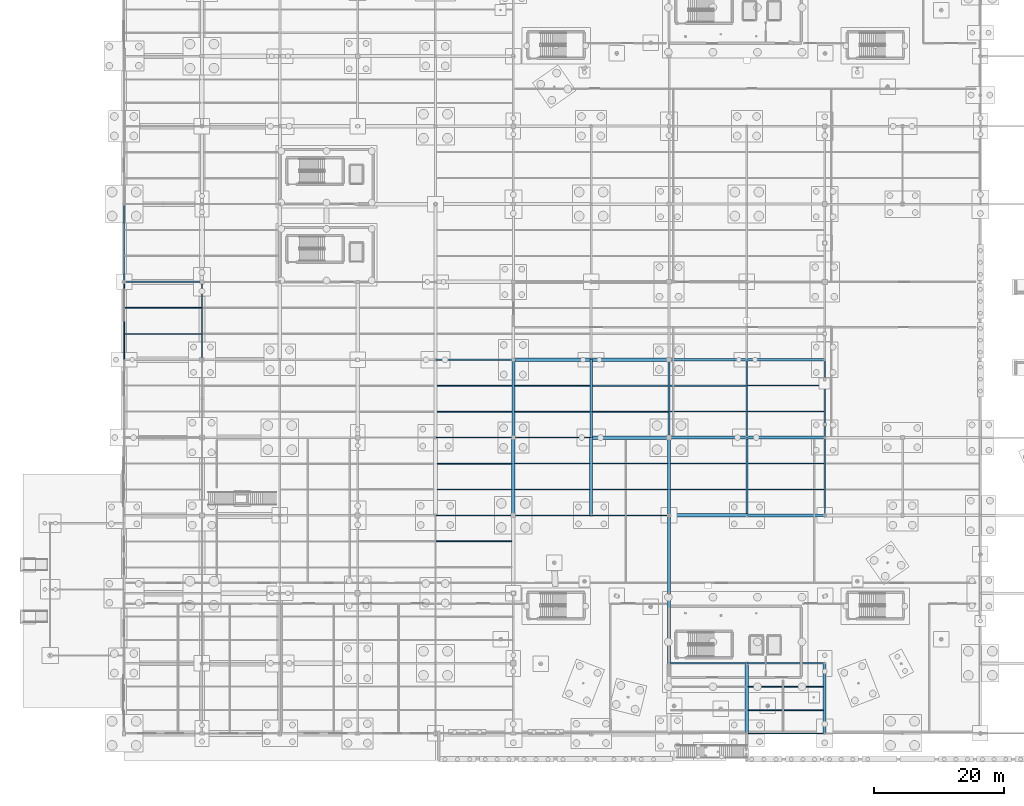
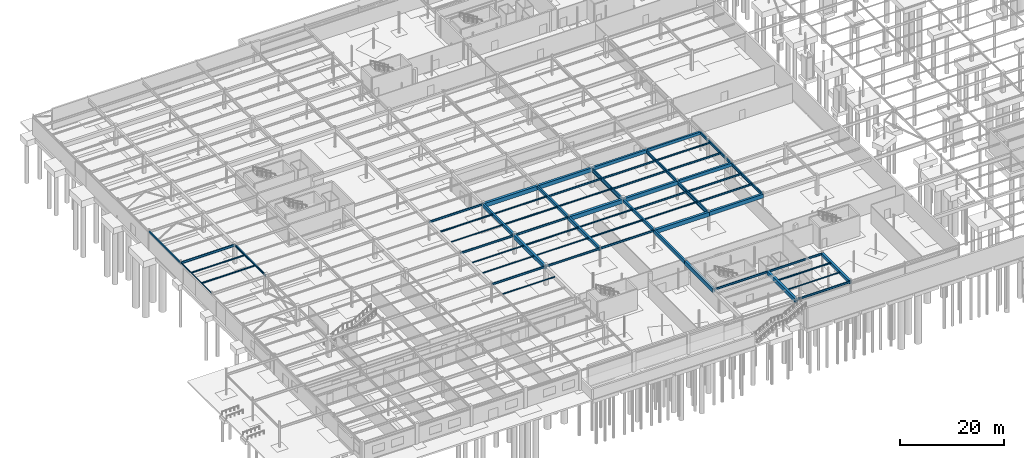
# One storey, part 80 of 136: 61 beams.
"""IFC4 building model written with IfcOpenShell, lengths in metres."""

import ifcopenshell
import ifcopenshell.guid

model = None  # the IFC model being written
_history = None  # IfcOwnerHistory: only IFC2X3 demands one
_inside = {}  # id of a spatial element -> (the spatial element, [elements in it])
_under = {}  # id of a project, library or spatial element -> (it, [spatial elements below it])
_declared = {}  # id of a project -> (the project, [libraries it declares])
_typed = {}  # id of a type object -> (the type object, [elements of that type])
_made_of = {}  # id of a material, layer set ... -> (it, [elements and type objects made of it])


def new_model(schema):
    """Start an empty IFC model of exactly this schema.

    Asked for "IFC4X3", IfcOpenShell would pick the latest addendum, in which some entities
    have other attributes; the version numbers below select the first issue.
    IFC2X3 requires an IfcOwnerHistory on every rooted entity: one is made here for all.
    """
    global model, _history
    if schema == "IFC4X3":
        model = ifcopenshell.file(schema_version=(4, 3, 0, 0))
    else:
        model = ifcopenshell.file(schema=schema)
    _inside.clear()
    _under.clear()
    _declared.clear()
    _typed.clear()
    _made_of.clear()
    _history = None
    if model.schema == "IFC2X3":
        org = make("IfcOrganization", Name="unknown")
        user = make(
            "IfcPersonAndOrganization",
            ThePerson=make("IfcPerson", FamilyName="unknown"),
            TheOrganization=org,
        )
        app = make(
            "IfcApplication",
            ApplicationDeveloper=org,
            Version="unknown",
            ApplicationFullName="unknown",
            ApplicationIdentifier="unknown",
        )
        _history = make(
            "IfcOwnerHistory",
            OwningUser=user,
            OwningApplication=app,
            ChangeAction="ADDED",
            CreationDate=0,
        )
    return model


def make(cls, **values):
    """One entity of the class cls with the attributes given. An attribute that is None is left unset."""
    return model.create_entity(
        cls, **{name: value for name, value in values.items() if value is not None}
    )


def rooted(cls, **values):
    """An entity with a GlobalId (a new one), such as an element, a storey or a relation."""
    return make(cls, GlobalId=ifcopenshell.guid.new(), OwnerHistory=_history, **values)


def si_unit(unit_type, name, prefix=None):
    """IfcSIUnit, for example si_unit("LENGTHUNIT", "METRE", prefix="MILLI")."""
    return make("IfcSIUnit", UnitType=unit_type, Prefix=prefix, Name=name)


def assignment(units):
    """IfcUnitAssignment: the units of a project."""
    return None if units is None else make("IfcUnitAssignment", Units=units)


def point(xyz):
    """IfcCartesianPoint."""
    return None if xyz is None else make("IfcCartesianPoint", Coordinates=xyz)


def direction(xyz):
    """IfcDirection."""
    return None if xyz is None else make("IfcDirection", DirectionRatios=xyz)


def frame(location, z_axis=None, x_axis=None):
    """IfcAxis2Placement3D, a coordinate frame: its origin and axes. An axis left out is left unset."""
    return make(
        "IfcAxis2Placement3D",
        Location=point(location),
        Axis=direction(z_axis),
        RefDirection=direction(x_axis),
    )


def frame_2d(location, x_axis=None):
    """IfcAxis2Placement2D, a coordinate frame in the plane: its origin and x axis."""
    return make(
        "IfcAxis2Placement2D", Location=point(location), RefDirection=direction(x_axis)
    )


def origin():
    """The frame at (0, 0, 0) with its axes left unset."""
    return frame((0.0, 0.0, 0.0))


def origin_2d():
    """The frame at (0, 0) in the plane with its x axis left unset."""
    return frame_2d((0.0, 0.0))


def place(relative_to, where):
    """IfcLocalPlacement: puts the frame where relative to a parent placement (None: the world)."""
    return make(
        "IfcLocalPlacement", PlacementRelTo=relative_to, RelativePlacement=where
    )


def context(
    kind, dimensions, precision=None, world=None, true_north=None, identifier=None
):
    """IfcGeometricRepresentationContext, for example the 3D "Model" context."""
    return make(
        "IfcGeometricRepresentationContext",
        ContextIdentifier=identifier,
        ContextType=kind,
        CoordinateSpaceDimension=dimensions,
        Precision=precision,
        WorldCoordinateSystem=world,
        TrueNorth=true_north,
    )


def subcontext(parent, identifier, kind, view, scale=None):
    """IfcGeometricRepresentationSubContext, for example "Body" below "Model"."""
    return make(
        "IfcGeometricRepresentationSubContext",
        ContextIdentifier=identifier,
        ContextType=kind,
        ParentContext=parent,
        TargetScale=scale,
        TargetView=view,
    )


def project(units=None, contexts=None):
    """IfcProject with its units and contexts."""
    return rooted(
        "IfcProject",
        Name="project",
        RepresentationContexts=contexts,
        UnitsInContext=assignment(units),
    )


def spatial(cls, under=None, at=None, **own):
    """A site, building, storey or space (cls), placed at a placement, below another one or the project."""
    s = rooted(cls, ObjectPlacement=at, **own)
    if under is not None:
        _under.setdefault(under.id(), (under, []))[1].append(s)
    return s


def profile(cls, at=None, kind="AREA", **sizes):
    """A parametric profile (cls). Its sizes go by their IFC names, for example OverallWidth=200.0."""
    return make(cls, ProfileType=kind, Position=at, **sizes)


def rectangle(**sizes):
    """IfcRectangleProfileDef."""
    return profile("IfcRectangleProfileDef", **sizes)


def hollow_rectangle(**sizes):
    """IfcRectangleHollowProfileDef."""
    return profile("IfcRectangleHollowProfileDef", **sizes)


def i_section(**sizes):
    """IfcIShapeProfileDef."""
    return profile("IfcIShapeProfileDef", **sizes)


def extrude(swept, where, along, depth):
    """IfcExtrudedAreaSolid: the profile swept, set in the frame where, extruded along a direction by depth."""
    return make(
        "IfcExtrudedAreaSolid",
        SweptArea=swept,
        Position=where,
        ExtrudedDirection=direction(along),
        Depth=depth,
    )


def shape(context_of_items, identifier, shape_type, items):
    """IfcShapeRepresentation: the items that make up one representation, for example the "Body"."""
    return make(
        "IfcShapeRepresentation",
        ContextOfItems=context_of_items,
        RepresentationIdentifier=identifier,
        RepresentationType=shape_type,
        Items=items,
    )


def material(Name=None, Category=None):
    """IfcMaterial."""
    return make("IfcMaterial", Name=Name, Category=Category)


def material_profile(
    of_material, cross_section, Name=None, Category=None, Priority=None
):
    """IfcMaterialProfile: a cross section and its material."""
    return make(
        "IfcMaterialProfile",
        Name=Name,
        Material=of_material,
        Profile=cross_section,
        Priority=Priority,
        Category=Category,
    )


def profile_set(profiles, Name=None, composite=None):
    """IfcMaterialProfileSet."""
    return make(
        "IfcMaterialProfileSet",
        Name=Name,
        MaterialProfiles=profiles,
        CompositeProfile=composite,
    )


def made_of(thing, what):
    """Note that an element or type object is made of a material, layer set ...; save() writes the relation."""
    if what is not None:
        _made_of.setdefault(what.id(), (what, []))[1].append(thing)
    return thing


def type_object(cls, material=None, **own):
    """A type object (cls), such as IfcWallType, which elements share."""
    return made_of(rooted(cls, **own), material)


def element(
    cls,
    number,
    at=None,
    inside=None,
    cuts=None,
    type_object=None,
    material=None,
    context=None,
    identifier="Body",
    shape_type=None,
    held_by="IfcProductDefinitionShape",
    body=None,
    shapes=None,
    **own,
):
    """One element of the class cls, such as IfcWall. Its Tag is "e" and its number.

    at: its placement. inside: the storey or other place that contains it. cuts: it is an
    opening in that element (IfcRelVoidsElement). A single representation is given by context,
    identifier, shape_type and body (its items); several are given by shapes. held_by: the class
    of the entity that holds the representations. save() writes the other relations.
    """
    e = rooted(cls, Tag="e%d" % number, ObjectPlacement=at, **own)
    if body is not None:
        shapes = [shape(context, identifier, shape_type, body)]
    if shapes is not None:
        e.Representation = make(held_by, Representations=shapes)
    if inside is not None:
        _inside.setdefault(inside.id(), (inside, []))[1].append(e)
    if cuts is not None:
        rooted(
            "IfcRelVoidsElement", RelatingBuildingElement=cuts, RelatedOpeningElement=e
        )
    if type_object is not None:
        _typed.setdefault(type_object.id(), (type_object, []))[1].append(e)
    return made_of(e, material)


def aggregate(whole, parts):
    """IfcRelAggregates: a whole, such as a stair, and the parts it consists of."""
    return rooted("IfcRelAggregates", RelatingObject=whole, RelatedObjects=parts)


def save(model, path):
    """Write the relations noted so far, then the file.

    IfcRelAggregates (storeys below a building ...), IfcRelContainedInSpatialStructure (elements
    in a storey), IfcRelDefinesByType, IfcRelAssociatesMaterial and IfcRelDeclares: one each for
    every whole, place, type object, material and project.
    """
    for whole, parts in _under.values():
        aggregate(whole, parts)
    for where, things in _inside.values():
        rooted(
            "IfcRelContainedInSpatialStructure",
            RelatedElements=things,
            RelatingStructure=where,
        )
    for kind, things in _typed.values():
        rooted("IfcRelDefinesByType", RelatedObjects=things, RelatingType=kind)
    for what, things in _made_of.values():
        rooted("IfcRelAssociatesMaterial", RelatedObjects=things, RelatingMaterial=what)
    for by, libraries in _declared.values():
        rooted("IfcRelDeclares", RelatingContext=by, RelatedDefinitions=libraries)
    model.write(path)


model = new_model("IFC4")

# Units and contexts
model_context = context("Model", 3, precision=1e-05, world=origin(), true_north=direction((0.0, 1.0)))
body_context = subcontext(model_context, "Body", "Model", "MODEL_VIEW")
ifc_project = project(units=[si_unit("LENGTHUNIT", "METRE"), si_unit("AREAUNIT", "SQUARE_METRE"), si_unit("VOLUMEUNIT", "CUBIC_METRE"), si_unit("PLANEANGLEUNIT", "RADIAN"), si_unit("MASSUNIT", "GRAM", prefix="KILO")], contexts=[model_context])

# Site, building, storey
site_placement = place(None, origin())
site = spatial("IfcSite", under=ifc_project, at=site_placement, CompositionType="ELEMENT")
building_placement = place(site_placement, origin())
building = spatial("IfcBuilding", under=site, at=building_placement, Name="Tarnwether General Hospital", CompositionType="ELEMENT")
storey_placement = place(building_placement, frame((0.0, 0.0, -4.800048828125)))
storey = spatial("IfcBuildingStorey", under=building, at=storey_placement, Name="LG", CompositionType="ELEMENT", Elevation=-4.800048828125)

# Beams
ifc_material_1 = material(Name="Steel Grade 350 (350 MPa)", Category="steel")
ifc_material_profile_1 = material_profile(ifc_material_1, i_section(OverallWidth=0.300048828125, OverallDepth=0.89990234375, WebThickness=0.011962890625, FlangeThickness=0.02001953125, at=origin_2d()), Name="900WB175")
ifc_profile_set_1 = profile_set([ifc_material_profile_1], Name="Steel Grade 350 (350 MPa)")
beam_type_1 = type_object("IfcBeamType", Name="BM-G01", PredefinedType="BEAM", material=ifc_profile_set_1)
for number, where, z_axis, x_axis, name in (
    (1, (84.0, 45.60009765625, 3.97998046875), (0.0, 1.0, 0.0), (-1.0, 0.0, 0.0), "Primary Girder BMG-LG-8400_4560-8400_5760-0162"),
    (2, (96.0, 33.60009765625, 3.97998046875), (0.0, 1.0, 0.0), (-1.0, 0.0, 0.0), "Primary Girder BMG-LG-9600_3360-9600_4560-0179"),
):
    element("IfcBeam", number, at=place(storey_placement, frame(where, z_axis=z_axis, x_axis=x_axis)), inside=storey, type_object=beam_type_1, Name=name, PredefinedType="BEAM", context=body_context, shape_type="SweptSolid", body=[
        extrude(i_section(OverallWidth=0.300048828125, OverallDepth=0.89990234375, WebThickness=0.011962890625, FlangeThickness=0.02001953125, at=origin_2d()), origin(), (0.0, 0.0, 1.0), 12.0),
    ])
ifc_material_2 = material(Name="Steel Grade 350 (350 MPa)", Category="steel")
ifc_material_profile_2 = material_profile(ifc_material_2, i_section(OverallWidth=0.25, OverallDepth=0.69189453125, WebThickness=0.009033203125, FlangeThickness=0.01611328125, at=origin_2d()), Name="700WB115")
ifc_profile_set_2 = profile_set([ifc_material_profile_2], Name="Steel Grade 350 (350 MPa)")
beam_type_2 = type_object("IfcBeamType", Name="BM-G02", PredefinedType="BEAM", material=ifc_profile_set_2)
for number, where, z_axis, x_axis, name in (
    (3, (96.0, 45.60009765625, 4.083984375), (0.0, 1.0, 0.0), (-1.0, 0.0, 0.0), "Primary Girder BMG-LG-9600_4560-9600_5760-0181"),
    (4, (108.0, 33.60009765625, 4.083984375), (0.0, 1.0, 0.0), (-1.0, 0.0, 0.0), "Primary Girder BMG-LG-10800_3360-10800_4560-0195"),
):
    element("IfcBeam", number, at=place(storey_placement, frame(where, z_axis=z_axis, x_axis=x_axis)), inside=storey, type_object=beam_type_2, Name=name, PredefinedType="BEAM", context=body_context, shape_type="SweptSolid", body=[
        extrude(i_section(OverallWidth=0.25, OverallDepth=0.69189453125, WebThickness=0.009033203125, FlangeThickness=0.01611328125, at=origin_2d()), origin(), (0.0, 0.0, 1.0), 12.0),
    ])
ifc_material_3 = material(Name="Steel Grade 350 (350 MPa)", Category="steel")
ifc_material_profile_3 = material_profile(ifc_material_3, i_section(OverallWidth=0.22900390625, OverallDepth=0.612060546875, WebThickness=0.011962890625, FlangeThickness=0.01953125, at=origin_2d()), Name="610UB125")
ifc_profile_set_3 = profile_set([ifc_material_profile_3], Name="Steel Grade 350 (350 MPa)")
beam_type_3 = type_object("IfcBeamType", Name="BM-G03", PredefinedType="BEAM", material=ifc_profile_set_3)
beam_1_placement = place(storey_placement, frame((108.0, 45.60009765625, 4.1240234375), z_axis=(0.0, 1.0, 0.0), x_axis=(-1.0, 0.0, 0.0)))
element("IfcBeam", 5, at=beam_1_placement, inside=storey, type_object=beam_type_3, Name="Primary Girder BMG-LG-10800_4560-10800_5760-0197", PredefinedType="BEAM", context=body_context, shape_type="SweptSolid", body=[
    extrude(i_section(OverallWidth=0.22900390625, OverallDepth=0.612060546875, WebThickness=0.011962890625, FlangeThickness=0.01953125, at=origin_2d()), origin(), (0.0, 0.0, 1.0), 12.0),
])
ifc_material_4 = material(Name="Steel Grade 350 (350 MPa)", Category="steel")
ifc_material_profile_4 = material_profile(ifc_material_4, i_section(OverallWidth=0.208984375, OverallDepth=0.528076171875, WebThickness=0.009521484375, FlangeThickness=0.01318359375, at=origin_2d()), Name="530UB82.0")
ifc_profile_set_4 = profile_set([ifc_material_profile_4], Name="Steel Grade 350 (350 MPa)")
beam_type_4 = type_object("IfcBeamType", Name="BM-G07", PredefinedType="BEAM", material=ifc_profile_set_4)
beam_2_placement = place(storey_placement, frame((0.0, 69.60009765625, 4.166015625), z_axis=(1.0, 0.0, 0.0), x_axis=(0.0, 1.0, 0.0)))
element("IfcBeam", 6, at=beam_2_placement, inside=storey, type_object=beam_type_4, Name="Primary Girder BMG-LG-0_6960-1200_6960-0021", PredefinedType="BEAM", context=body_context, shape_type="SweptSolid", body=[
    extrude(i_section(OverallWidth=0.208984375, OverallDepth=0.528076171875, WebThickness=0.009521484375, FlangeThickness=0.01318359375, at=origin_2d()), origin(), (0.0, 0.0, 1.0), 12.0),
])
ifc_material_5 = material(Name="Steel Grade 350 (350 MPa)", Category="steel")
ifc_material_profile_5 = material_profile(ifc_material_5, i_section(OverallWidth=0.19091796875, OverallDepth=0.4599609375, WebThickness=0.010009765625, FlangeThickness=0.01611328125, at=origin_2d()), Name="460UB82.1")
ifc_profile_set_5 = profile_set([ifc_material_profile_5], Name="Steel Grade 350 (350 MPa)")
beam_type_5 = type_object("IfcBeamType", Name="BM-G08", PredefinedType="BEAM", material=ifc_profile_set_5)
beam_3_placement = place(storey_placement, frame((48.0, 33.60009765625, 4.199951171875), z_axis=(1.0, 0.0, 0.0), x_axis=(0.0, 1.0, 0.0)))
element("IfcBeam", 7, at=beam_3_placement, inside=storey, type_object=beam_type_5, Name="Primary Girder BMG-LG-4800_3360-6000_3360-0105", PredefinedType="BEAM", context=body_context, shape_type="SweptSolid", body=[
    extrude(i_section(OverallWidth=0.19091796875, OverallDepth=0.4599609375, WebThickness=0.010009765625, FlangeThickness=0.01611328125, at=origin_2d()), origin(), (0.0, 0.0, 1.0), 12.0),
])
ifc_material_6 = material(Name="Steel Grade 350 (350 MPa)", Category="steel")
ifc_material_profile_6 = material_profile(ifc_material_6, i_section(OverallWidth=0.18994140625, OverallDepth=0.45703125, WebThickness=0.009033203125, FlangeThickness=0.014404296875, at=origin_2d()), Name="460UB74.6")
ifc_profile_set_6 = profile_set([ifc_material_profile_6], Name="Steel Grade 350 (350 MPa)")
beam_type_6 = type_object("IfcBeamType", Name="BM-G09", PredefinedType="BEAM", material=ifc_profile_set_6)
for number, where, z_axis, x_axis, name in (
    (8, (48.0, 45.60009765625, 4.20166015625), (1.0, 0.0, 0.0), (0.0, 1.0, 0.0), "Primary Girder BMG-LG-4800_4560-6000_4560-0107"),
    (9, (60.0, 33.60009765625, 4.20166015625), (1.0, 0.0, 0.0), (0.0, 1.0, 0.0), "Primary Girder BMG-LG-6000_3360-7200_3360-0126"),
    (10, (84.0, 10.800048828125, 4.20166015625), (1.0, 0.0, 0.0), (0.0, 1.0, 0.0), "Primary Girder BMG-LG-8400_1080-9600_1080-0156"),
):
    element("IfcBeam", number, at=place(storey_placement, frame(where, z_axis=z_axis, x_axis=x_axis)), inside=storey, type_object=beam_type_6, Name=name, PredefinedType="BEAM", context=body_context, shape_type="SweptSolid", body=[
        extrude(i_section(OverallWidth=0.18994140625, OverallDepth=0.45703125, WebThickness=0.009033203125, FlangeThickness=0.014404296875, at=origin_2d()), origin(), (0.0, 0.0, 1.0), 12.0),
    ])
ifc_material_7 = material(Name="Steel Grade 350 (350 MPa)", Category="steel")
ifc_material_profile_7 = material_profile(ifc_material_7, i_section(OverallWidth=0.18994140625, OverallDepth=0.4541015625, WebThickness=0.008544921875, FlangeThickness=0.0126953125, at=origin_2d()), Name="460UB67.1")
ifc_profile_set_7 = profile_set([ifc_material_profile_7], Name="Steel Grade 350 (350 MPa)")
beam_type_7 = type_object("IfcBeamType", Name="BM-G10", PredefinedType="BEAM", material=ifc_profile_set_7)
for number, where, z_axis, x_axis, name in (
    (11, (12.0, 57.60009765625, 4.203125), (0.0, 1.0, 0.0), (-1.0, 0.0, 0.0), "Primary Girder BMG-LG-1200_5760-1200_6960-0043"),
    (12, (48.0, 57.60009765625, 4.203125), (1.0, 0.0, 0.0), (0.0, 1.0, 0.0), "Primary Girder BMG-LG-4800_5760-6000_5760-0109"),
    (13, (60.0, 45.60009765625, 4.203125), (1.0, 0.0, 0.0), (0.0, 1.0, 0.0), "Primary Girder BMG-LG-6000_4560-7200_4560-0128"),
    (14, (72.0, 33.60009765625, 4.203125), (1.0, 0.0, 0.0), (0.0, 1.0, 0.0), "Primary Girder BMG-LG-7200_3360-8400_3360-0142"),
    (15, (96.0, 10.800048828125, 4.203125), (1.0, 0.0, 0.0), (0.0, 1.0, 0.0), "Primary Girder BMG-LG-9600_1080-10800_1080-0177"),
):
    element("IfcBeam", number, at=place(storey_placement, frame(where, z_axis=z_axis, x_axis=x_axis)), inside=storey, type_object=beam_type_7, Name=name, PredefinedType="BEAM", context=body_context, shape_type="SweptSolid", body=[
        extrude(i_section(OverallWidth=0.18994140625, OverallDepth=0.4541015625, WebThickness=0.008544921875, FlangeThickness=0.0126953125, at=origin_2d()), origin(), (0.0, 0.0, 1.0), 12.0),
    ])
ifc_material_8 = material(Name="Concrete 40 MPa", Category="concrete")
ifc_material_profile_8 = material_profile(ifc_material_8, rectangle(XDim=0.550048828125, YDim=0.949951171875, at=origin_2d()), Name="RC-BM-550x950")
ifc_profile_set_8 = profile_set([ifc_material_profile_8], Name="Concrete 40 MPa")
beam_type_8 = type_object("IfcBeamType", Name="BM-G11", PredefinedType="BEAM", material=ifc_profile_set_8)
for number, where, z_axis, x_axis, name in (
    (16, (60.0, 57.60009765625, 3.955078125), (1.0, 0.0, 0.0), (0.0, 1.0, 0.0), "Primary Girder BMG-LG-6000_5760-7200_5760-0130"),
    (17, (72.0, 45.60009765625, 3.955078125), (1.0, 0.0, 0.0), (0.0, 1.0, 0.0), "Primary Girder BMG-LG-7200_4560-8400_4560-0144"),
    (18, (84.0, 33.60009765625, 3.955078125), (1.0, 0.0, 0.0), (0.0, 1.0, 0.0), "Primary Girder BMG-LG-8400_3360-9600_3360-0159"),
):
    element("IfcBeam", number, at=place(storey_placement, frame(where, z_axis=z_axis, x_axis=x_axis)), inside=storey, type_object=beam_type_8, Name=name, PredefinedType="BEAM", context=body_context, shape_type="SweptSolid", body=[
        extrude(rectangle(XDim=0.550048828125, YDim=0.949951171875, at=origin_2d()), origin(), (0.0, 0.0, 1.0), 12.0),
    ])
ifc_material_9 = material(Name="Concrete 40 MPa", Category="concrete")
ifc_material_profile_9 = material_profile(ifc_material_9, rectangle(XDim=0.5, YDim=0.89990234375, at=origin_2d()), Name="RC-BM-500x900")
ifc_profile_set_9 = profile_set([ifc_material_profile_9], Name="Concrete 40 MPa")
beam_type_9 = type_object("IfcBeamType", Name="BM-G12", PredefinedType="BEAM", material=ifc_profile_set_9)
for number, where, z_axis, x_axis, name in (
    (19, (60.0, 33.60009765625, 3.97998046875), (0.0, 1.0, 0.0), (-1.0, 0.0, 0.0), "Primary Girder BMG-LG-6000_3360-6000_4560-0127"),
    (20, (72.0, 57.60009765625, 3.97998046875), (1.0, 0.0, 0.0), (0.0, 1.0, 0.0), "Primary Girder BMG-LG-7200_5760-8400_5760-0146"),
):
    element("IfcBeam", number, at=place(storey_placement, frame(where, z_axis=z_axis, x_axis=x_axis)), inside=storey, type_object=beam_type_9, Name=name, PredefinedType="BEAM", context=body_context, shape_type="SweptSolid", body=[
        extrude(rectangle(XDim=0.5, YDim=0.89990234375, at=origin_2d()), origin(), (0.0, 0.0, 1.0), 12.0),
    ])
beam_4_placement = place(storey_placement, frame((84.0, 10.800048828125, 3.97998046875), z_axis=(0.0, 1.0, 0.0), x_axis=(-1.0, 0.0, 0.0)))
element("IfcBeam", 21, at=beam_4_placement, inside=storey, type_object=beam_type_9, Name="Primary Girder BMG-LG-8400_1080-8400_2160-0157", PredefinedType="BEAM", context=body_context, shape_type="SweptSolid", body=[
    extrude(rectangle(XDim=0.5, YDim=0.89990234375, at=origin_2d()), origin(), (0.0, 0.0, 1.0), 10.800048828125),
])
beam_5_placement = place(storey_placement, frame((84.0, 45.60009765625, 3.97998046875), z_axis=(1.0, 0.0, 0.0), x_axis=(0.0, 1.0, 0.0)))
element("IfcBeam", 22, at=beam_5_placement, inside=storey, type_object=beam_type_9, Name="Primary Girder BMG-LG-8400_4560-9600_4560-0161", PredefinedType="BEAM", context=body_context, shape_type="SweptSolid", body=[
    extrude(rectangle(XDim=0.5, YDim=0.89990234375, at=origin_2d()), origin(), (0.0, 0.0, 1.0), 12.0),
])
beam_6_placement = place(storey_placement, frame((96.0, 0.0, 3.97998046875), z_axis=(0.0, 1.0, 0.0), x_axis=(-1.0, 0.0, 0.0)))
element("IfcBeam", 23, at=beam_6_placement, inside=storey, type_object=beam_type_9, Name="Primary Girder BMG-LG-9600_0-9600_1080-0176", PredefinedType="BEAM", context=body_context, shape_type="SweptSolid", body=[
    extrude(rectangle(XDim=0.5, YDim=0.89990234375, at=origin_2d()), origin(), (0.0, 0.0, 1.0), 10.800048828125),
])
beam_7_placement = place(storey_placement, frame((96.0, 33.60009765625, 3.97998046875), z_axis=(1.0, 0.0, 0.0), x_axis=(0.0, 1.0, 0.0)))
element("IfcBeam", 24, at=beam_7_placement, inside=storey, type_object=beam_type_9, Name="Primary Girder BMG-LG-9600_3360-10800_3360-0178", PredefinedType="BEAM", context=body_context, shape_type="SweptSolid", body=[
    extrude(rectangle(XDim=0.5, YDim=0.89990234375, at=origin_2d()), origin(), (0.0, 0.0, 1.0), 12.0),
])
ifc_material_10 = material(Name="Concrete 40 MPa", Category="concrete")
ifc_material_profile_10 = material_profile(ifc_material_10, rectangle(XDim=0.449951171875, YDim=0.75, at=origin_2d()), Name="RC-BM-450x750")
ifc_profile_set_10 = profile_set([ifc_material_profile_10], Name="Concrete 40 MPa")
beam_type_10 = type_object("IfcBeamType", Name="BM-G13", PredefinedType="BEAM", material=ifc_profile_set_10)
for number, where, z_axis, x_axis, name in (
    (25, (60.0, 45.60009765625, 4.054931640625), (0.0, 1.0, 0.0), (-1.0, 0.0, 0.0), "Primary Girder BMG-LG-6000_4560-6000_5760-0129"),
    (26, (72.0, 33.60009765625, 4.054931640625), (0.0, 1.0, 0.0), (-1.0, 0.0, 0.0), "Primary Girder BMG-LG-7200_3360-7200_4560-0143"),
    (27, (84.0, 21.60009765625, 4.054931640625), (0.0, 1.0, 0.0), (-1.0, 0.0, 0.0), "Primary Girder BMG-LG-8400_2160-8400_3360-0158"),
    (28, (84.0, 57.60009765625, 4.054931640625), (1.0, 0.0, 0.0), (0.0, 1.0, 0.0), "Primary Girder BMG-LG-8400_5760-9600_5760-0163"),
    (29, (96.0, 45.60009765625, 4.054931640625), (1.0, 0.0, 0.0), (0.0, 1.0, 0.0), "Primary Girder BMG-LG-9600_4560-10800_4560-0180"),
):
    element("IfcBeam", number, at=place(storey_placement, frame(where, z_axis=z_axis, x_axis=x_axis)), inside=storey, type_object=beam_type_10, Name=name, PredefinedType="BEAM", context=body_context, shape_type="SweptSolid", body=[
        extrude(rectangle(XDim=0.449951171875, YDim=0.75, at=origin_2d()), origin(), (0.0, 0.0, 1.0), 12.0),
    ])
beam_8_placement = place(storey_placement, frame((108.0, 0.0, 4.054931640625), z_axis=(0.0, 1.0, 0.0), x_axis=(-1.0, 0.0, 0.0)))
element("IfcBeam", 30, at=beam_8_placement, inside=storey, type_object=beam_type_10, Name="Primary Girder BMG-LG-10800_0-10800_1080-0193", PredefinedType="BEAM", context=body_context, shape_type="SweptSolid", body=[
    extrude(rectangle(XDim=0.449951171875, YDim=0.75, at=origin_2d()), origin(), (0.0, 0.0, 1.0), 10.800048828125),
])
ifc_material_11 = material(Name="Concrete 40 MPa", Category="concrete")
ifc_material_profile_11 = material_profile(ifc_material_11, rectangle(XDim=0.39990234375, YDim=0.64990234375, at=origin_2d()), Name="RC-BM-400x650")
ifc_profile_set_11 = profile_set([ifc_material_profile_11], Name="Concrete 40 MPa")
beam_type_11 = type_object("IfcBeamType", Name="BM-G14", PredefinedType="BEAM", material=ifc_profile_set_11)
for number, where, z_axis, x_axis, name in (
    (31, (72.0, 45.60009765625, 4.10498046875), (0.0, 1.0, 0.0), (-1.0, 0.0, 0.0), "Primary Girder BMG-LG-7200_4560-7200_5760-0145"),
    (32, (84.0, 33.60009765625, 4.10498046875), (0.0, 1.0, 0.0), (-1.0, 0.0, 0.0), "Primary Girder BMG-LG-8400_3360-8400_4560-0160"),
    (33, (96.0, 57.60009765625, 4.10498046875), (1.0, 0.0, 0.0), (0.0, 1.0, 0.0), "Primary Girder BMG-LG-9600_5760-10800_5760-0182"),
):
    element("IfcBeam", number, at=place(storey_placement, frame(where, z_axis=z_axis, x_axis=x_axis)), inside=storey, type_object=beam_type_11, Name=name, PredefinedType="BEAM", context=body_context, shape_type="SweptSolid", body=[
        extrude(rectangle(XDim=0.39990234375, YDim=0.64990234375, at=origin_2d()), origin(), (0.0, 0.0, 1.0), 12.0),
    ])
ifc_material_12 = material(Name="Steel Grade 350 (350 MPa)", Category="steel")
ifc_material_profile_12 = material_profile(ifc_material_12, i_section(OverallWidth=0.177978515625, OverallDepth=0.406005859375, WebThickness=0.0078125, FlangeThickness=0.0126953125, at=origin_2d()), Name="410UB59.7")
ifc_profile_set_12 = profile_set([ifc_material_profile_12], Name="Steel Grade 350 (350 MPa)")
beam_type_12 = type_object("IfcBeamType", Name="BM-J01", PredefinedType="JOIST", material=ifc_profile_set_12)
for number, where, z_axis, x_axis, name in (
    (34, (72.194091796875, 53.60009765625, 4.22705078125), (1.0, 0.0, 0.0), (0.0, 1.0, 0.0), "Composite Floor Joist BMG-LG-7219_5360-8386_5360-0448"),
    (35, (84.194091796875, 41.60009765625, 4.22705078125), (1.0, 0.0, 0.0), (0.0, 1.0, 0.0), "Composite Floor Joist BMG-LG-8419_4160-9586_4160-0458"),
):
    element("IfcBeam", number, at=place(storey_placement, frame(where, z_axis=z_axis, x_axis=x_axis)), inside=storey, type_object=beam_type_12, Name=name, PredefinedType="JOIST", context=body_context, shape_type="SweptSolid", body=[
        extrude(i_section(OverallWidth=0.177978515625, OverallDepth=0.406005859375, WebThickness=0.0078125, FlangeThickness=0.0126953125, at=origin_2d()), origin(), (0.0, 0.0, 1.0), 11.661865234375),
    ])
for number, where, z_axis, x_axis, name in (
    (36, (84.14404296875, 49.60009765625, 4.22705078125), (1.0, 0.0, 0.0), (0.0, 1.0, 0.0), "Composite Floor Joist BMG-LG-8414_4960-9588_4960-0459"),
    (37, (96.14404296875, 37.60009765625, 4.22705078125), (1.0, 0.0, 0.0), (0.0, 1.0, 0.0), "Composite Floor Joist BMG-LG-9614_3760-10788_3760-0471"),
):
    element("IfcBeam", number, at=place(storey_placement, frame(where, z_axis=z_axis, x_axis=x_axis)), inside=storey, type_object=beam_type_12, Name=name, PredefinedType="JOIST", context=body_context, shape_type="SweptSolid", body=[
        extrude(i_section(OverallWidth=0.177978515625, OverallDepth=0.406005859375, WebThickness=0.0078125, FlangeThickness=0.0126953125, at=origin_2d()), origin(), (0.0, 0.0, 1.0), 11.737060546875),
    ])
ifc_material_13 = material(Name="Steel Grade 350 (350 MPa)", Category="steel")
ifc_material_profile_13 = material_profile(ifc_material_13, i_section(OverallWidth=0.177978515625, OverallDepth=0.403076171875, WebThickness=0.007568359375, FlangeThickness=0.010986328125, at=origin_2d()), Name="410UB53.7")
ifc_profile_set_13 = profile_set([ifc_material_profile_13], Name="Steel Grade 350 (350 MPa)")
beam_type_13 = type_object("IfcBeamType", Name="BM-J02", PredefinedType="JOIST", material=ifc_profile_set_13)
for number, where, z_axis, x_axis, name in (
    (38, (84.14404296875, 53.60009765625, 4.228515625), (1.0, 0.0, 0.0), (0.0, 1.0, 0.0), "Composite Floor Joist BMG-LG-8414_5360-9588_5360-0460"),
    (39, (96.14404296875, 41.60009765625, 4.228515625), (1.0, 0.0, 0.0), (0.0, 1.0, 0.0), "Composite Floor Joist BMG-LG-9614_4160-10788_4160-0472"),
):
    element("IfcBeam", number, at=place(storey_placement, frame(where, z_axis=z_axis, x_axis=x_axis)), inside=storey, type_object=beam_type_13, Name=name, PredefinedType="JOIST", context=body_context, shape_type="SweptSolid", body=[
        extrude(i_section(OverallWidth=0.177978515625, OverallDepth=0.403076171875, WebThickness=0.007568359375, FlangeThickness=0.010986328125, at=origin_2d()), origin(), (0.0, 0.0, 1.0), 11.737060546875),
    ])
beam_9_placement = place(storey_placement, frame((96.118896484375, 49.60009765625, 4.228515625), z_axis=(1.0, 0.0, 0.0), x_axis=(0.0, 1.0, 0.0)))
element("IfcBeam", 40, at=beam_9_placement, inside=storey, type_object=beam_type_13, Name="Composite Floor Joist BMG-LG-9612_4960-10789_4960-0473", PredefinedType="JOIST", context=body_context, shape_type="SweptSolid", body=[
    extrude(i_section(OverallWidth=0.177978515625, OverallDepth=0.403076171875, WebThickness=0.007568359375, FlangeThickness=0.010986328125, at=origin_2d()), origin(), (0.0, 0.0, 1.0), 11.772216796875),
])
ifc_material_14 = material(Name="Steel Grade 350 (350 MPa)", Category="steel")
ifc_material_profile_14 = material_profile(ifc_material_14, i_section(OverallWidth=0.172119140625, OverallDepth=0.35888671875, WebThickness=0.008056640625, FlangeThickness=0.012939453125, at=origin_2d()), Name="360UB56.7")
ifc_profile_set_14 = profile_set([ifc_material_profile_14], Name="Steel Grade 350 (350 MPa)")
beam_type_14 = type_object("IfcBeamType", Name="BM-J03", PredefinedType="JOIST", material=ifc_profile_set_14)
beam_10_placement = place(storey_placement, frame((96.118896484375, 53.60009765625, 4.25048828125), z_axis=(1.0, 0.0, 0.0), x_axis=(0.0, 1.0, 0.0)))
element("IfcBeam", 41, at=beam_10_placement, inside=storey, type_object=beam_type_14, Name="Composite Floor Joist BMG-LG-9612_5360-10789_5360-0474", PredefinedType="JOIST", context=body_context, shape_type="SweptSolid", body=[
    extrude(i_section(OverallWidth=0.172119140625, OverallDepth=0.35888671875, WebThickness=0.008056640625, FlangeThickness=0.012939453125, at=origin_2d()), origin(), (0.0, 0.0, 1.0), 11.772216796875),
])
ifc_material_15 = material(Name="Steel Grade 350 (350 MPa)", Category="steel")
ifc_material_profile_15 = material_profile(ifc_material_15, i_section(OverallWidth=0.1650390625, OverallDepth=0.303955078125, WebThickness=0.006103515625, FlangeThickness=0.01025390625, at=origin_2d()), Name="310UB40.4")
ifc_profile_set_15 = profile_set([ifc_material_profile_15], Name="Steel Grade 350 (350 MPa)")
beam_type_15 = type_object("IfcBeamType", Name="BM-J07", PredefinedType="JOIST", material=ifc_profile_set_15)
beam_11_placement = place(storey_placement, frame((0.080078125, 61.60009765625, 4.278076171875), z_axis=(1.0, 0.0, 0.0), x_axis=(0.0, 1.0, 0.0)))
element("IfcBeam", 42, at=beam_11_placement, inside=storey, type_object=beam_type_15, Name="Composite Floor Joist BMG-LG-8_6160-1191_6160-0344", PredefinedType="JOIST", context=body_context, shape_type="SweptSolid", body=[
    extrude(i_section(OverallWidth=0.1650390625, OverallDepth=0.303955078125, WebThickness=0.006103515625, FlangeThickness=0.01025390625, at=origin_2d()), origin(), (0.0, 0.0, 1.0), 11.830810546875),
])
ifc_material_16 = material(Name="Steel Grade 350 (350 MPa)", Category="steel")
ifc_material_profile_16 = material_profile(ifc_material_16, i_section(OverallWidth=0.14892578125, OverallDepth=0.298095703125, WebThickness=0.005615234375, FlangeThickness=0.008056640625, at=origin_2d()), Name="310UB32.0")
ifc_profile_set_16 = profile_set([ifc_material_profile_16], Name="Steel Grade 350 (350 MPa)")
beam_type_16 = type_object("IfcBeamType", Name="BM-J08", PredefinedType="JOIST", material=ifc_profile_set_16)
beam_12_placement = place(storey_placement, frame((0.080078125, 65.60009765625, 4.281005859375), z_axis=(1.0, 0.0, 0.0), x_axis=(0.0, 1.0, 0.0)))
element("IfcBeam", 43, at=beam_12_placement, inside=storey, type_object=beam_type_16, Name="Composite Floor Joist BMG-LG-8_6560-1191_6560-0345", PredefinedType="JOIST", context=body_context, shape_type="SweptSolid", body=[
    extrude(i_section(OverallWidth=0.14892578125, OverallDepth=0.298095703125, WebThickness=0.005615234375, FlangeThickness=0.008056640625, at=origin_2d()), origin(), (0.0, 0.0, 1.0), 11.830810546875),
])
ifc_material_17 = material(Name="Steel Grade 350 (350 MPa)", Category="steel")
ifc_material_profile_17 = material_profile(ifc_material_17, i_section(OverallWidth=0.14599609375, OverallDepth=0.256103515625, WebThickness=0.00634765625, FlangeThickness=0.010986328125, at=origin_2d()), Name="250UB37.3")
ifc_profile_set_17 = profile_set([ifc_material_profile_17], Name="Steel Grade 350 (350 MPa)")
beam_type_17 = type_object("IfcBeamType", Name="BM-J09", PredefinedType="JOIST", material=ifc_profile_set_17)
beam_13_placement = place(storey_placement, frame((48.089111328125, 29.60009765625, 4.302001953125), z_axis=(1.0, 0.0, 0.0), x_axis=(0.0, 1.0, 0.0)))
element("IfcBeam", 44, at=beam_13_placement, inside=storey, type_object=beam_type_17, Name="Composite Floor Joist BMG-LG-4809_2960-5973_2960-0418", PredefinedType="JOIST", context=body_context, shape_type="SweptSolid", body=[
    extrude(i_section(OverallWidth=0.14599609375, OverallDepth=0.256103515625, WebThickness=0.00634765625, FlangeThickness=0.010986328125, at=origin_2d()), origin(), (0.0, 0.0, 1.0), 11.641845703125),
])
beam_14_placement = place(storey_placement, frame((48.26904296875, 37.60009765625, 4.302001953125), z_axis=(1.0, 0.0, 0.0), x_axis=(0.0, 1.0, 0.0)))
element("IfcBeam", 45, at=beam_14_placement, inside=storey, type_object=beam_type_17, Name="Composite Floor Joist BMG-LG-4827_3760-5976_3760-0419", PredefinedType="JOIST", context=body_context, shape_type="SweptSolid", body=[
    extrude(i_section(OverallWidth=0.14599609375, OverallDepth=0.256103515625, WebThickness=0.00634765625, FlangeThickness=0.010986328125, at=origin_2d()), origin(), (0.0, 0.0, 1.0), 11.487060546875),
])
ifc_material_18 = material(Name="Steel Grade 350 (350 MPa)", Category="steel")
ifc_material_profile_18 = material_profile(ifc_material_18, i_section(OverallWidth=0.14599609375, OverallDepth=0.251953125, WebThickness=0.006103515625, FlangeThickness=0.008544921875, at=origin_2d()), Name="250UB31.4")
ifc_profile_set_18 = profile_set([ifc_material_profile_18], Name="Steel Grade 350 (350 MPa)")
beam_type_18 = type_object("IfcBeamType", Name="BM-J10", PredefinedType="JOIST", material=ifc_profile_set_18)
beam_15_placement = place(storey_placement, frame((48.26904296875, 41.60009765625, 4.303955078125), z_axis=(1.0, 0.0, 0.0), x_axis=(0.0, 1.0, 0.0)))
element("IfcBeam", 46, at=beam_15_placement, inside=storey, type_object=beam_type_18, Name="Composite Floor Joist BMG-LG-4827_4160-5976_4160-0420", PredefinedType="JOIST", context=body_context, shape_type="SweptSolid", body=[
    extrude(i_section(OverallWidth=0.14599609375, OverallDepth=0.251953125, WebThickness=0.006103515625, FlangeThickness=0.008544921875, at=origin_2d()), origin(), (0.0, 0.0, 1.0), 11.487060546875),
])
for number, where, z_axis, x_axis, name in (
    (47, (48.243896484375, 49.60009765625, 4.303955078125), (1.0, 0.0, 0.0), (0.0, 1.0, 0.0), "Composite Floor Joist BMG-LG-4824_4960-5978_4960-0421"),
    (48, (60.243896484375, 37.60009765625, 4.303955078125), (1.0, 0.0, 0.0), (0.0, 1.0, 0.0), "Composite Floor Joist BMG-LG-6024_3760-7178_3760-0435"),
    (49, (96.243896484375, 3.60009765625, 4.303955078125), (1.0, 0.0, 0.0), (0.0, 1.0, 0.0), "Composite Floor Joist BMG-LG-9624_360-10778_360-0469"),
):
    element("IfcBeam", number, at=place(storey_placement, frame(where, z_axis=z_axis, x_axis=x_axis)), inside=storey, type_object=beam_type_18, Name=name, PredefinedType="JOIST", context=body_context, shape_type="SweptSolid", body=[
        extrude(i_section(OverallWidth=0.14599609375, OverallDepth=0.251953125, WebThickness=0.006103515625, FlangeThickness=0.008544921875, at=origin_2d()), origin(), (0.0, 0.0, 1.0), 11.537109375),
    ])
ifc_material_19 = material(Name="Steel Grade 350 (350 MPa)", Category="steel")
ifc_material_profile_19 = material_profile(ifc_material_19, i_section(OverallWidth=0.1240234375, OverallDepth=0.248046875, WebThickness=0.0048828125, FlangeThickness=0.008056640625, at=origin_2d()), Name="250UB25.7")
ifc_profile_set_19 = profile_set([ifc_material_profile_19], Name="Steel Grade 350 (350 MPa)")
beam_type_19 = type_object("IfcBeamType", Name="BM-J11", PredefinedType="JOIST", material=ifc_profile_set_19)
for number, where, z_axis, x_axis, name in (
    (50, (48.243896484375, 53.60009765625, 4.30615234375), (1.0, 0.0, 0.0), (0.0, 1.0, 0.0), "Composite Floor Joist BMG-LG-4824_5360-5978_5360-0422"),
    (51, (60.243896484375, 41.60009765625, 4.30615234375), (1.0, 0.0, 0.0), (0.0, 1.0, 0.0), "Composite Floor Joist BMG-LG-6024_4160-7178_4160-0436"),
):
    element("IfcBeam", number, at=place(storey_placement, frame(where, z_axis=z_axis, x_axis=x_axis)), inside=storey, type_object=beam_type_19, Name=name, PredefinedType="JOIST", context=body_context, shape_type="SweptSolid", body=[
        extrude(i_section(OverallWidth=0.1240234375, OverallDepth=0.248046875, WebThickness=0.0048828125, FlangeThickness=0.008056640625, at=origin_2d()), origin(), (0.0, 0.0, 1.0), 11.537109375),
    ])
for number, where, z_axis, x_axis, name in (
    (52, (60.218994140625, 49.60009765625, 4.30615234375), (1.0, 0.0, 0.0), (0.0, 1.0, 0.0), "Composite Floor Joist BMG-LG-6022_4960-7181_4960-0437"),
    (53, (72.218994140625, 37.60009765625, 4.30615234375), (1.0, 0.0, 0.0), (0.0, 1.0, 0.0), "Composite Floor Joist BMG-LG-7222_3760-8381_3760-0445"),
):
    element("IfcBeam", number, at=place(storey_placement, frame(where, z_axis=z_axis, x_axis=x_axis)), inside=storey, type_object=beam_type_19, Name=name, PredefinedType="JOIST", context=body_context, shape_type="SweptSolid", body=[
        extrude(i_section(OverallWidth=0.1240234375, OverallDepth=0.248046875, WebThickness=0.0048828125, FlangeThickness=0.008056640625, at=origin_2d()), origin(), (0.0, 0.0, 1.0), 11.5869140625),
    ])
beam_16_placement = place(storey_placement, frame((96.243896484375, 7.199951171875, 4.30615234375), z_axis=(1.0, 0.0, 0.0), x_axis=(0.0, 1.0, 0.0)))
element("IfcBeam", 54, at=beam_16_placement, inside=storey, type_object=beam_type_19, Name="Composite Floor Joist BMG-LG-9624_720-10778_720-0470", PredefinedType="JOIST", context=body_context, shape_type="SweptSolid", body=[
    extrude(i_section(OverallWidth=0.1240234375, OverallDepth=0.248046875, WebThickness=0.0048828125, FlangeThickness=0.008056640625, at=origin_2d()), origin(), (0.0, 0.0, 1.0), 11.537109375),
])
ifc_material_20 = material(Name="Steel Grade 350 (350 MPa)", Category="steel")
ifc_material_profile_20 = material_profile(ifc_material_20, i_section(OverallWidth=0.134033203125, OverallDepth=0.20703125, WebThickness=0.00634765625, FlangeThickness=0.009521484375, at=origin_2d()), Name="200UB29.8")
ifc_profile_set_20 = profile_set([ifc_material_profile_20], Name="Steel Grade 350 (350 MPa)")
beam_type_20 = type_object("IfcBeamType", Name="BM-J12", PredefinedType="JOIST", material=ifc_profile_set_20)
for number, where, z_axis, x_axis, name in (
    (55, (60.218994140625, 53.60009765625, 4.32666015625), (1.0, 0.0, 0.0), (0.0, 1.0, 0.0), "Composite Floor Joist BMG-LG-6022_5360-7181_5360-0438"),
    (56, (72.218994140625, 41.60009765625, 4.32666015625), (1.0, 0.0, 0.0), (0.0, 1.0, 0.0), "Composite Floor Joist BMG-LG-7222_4160-8381_4160-0446"),
):
    element("IfcBeam", number, at=place(storey_placement, frame(where, z_axis=z_axis, x_axis=x_axis)), inside=storey, type_object=beam_type_20, Name=name, PredefinedType="JOIST", context=body_context, shape_type="SweptSolid", body=[
        extrude(i_section(OverallWidth=0.134033203125, OverallDepth=0.20703125, WebThickness=0.00634765625, FlangeThickness=0.009521484375, at=origin_2d()), origin(), (0.0, 0.0, 1.0), 11.5869140625),
    ])
for number, where, z_axis, x_axis, name in (
    (57, (72.194091796875, 49.60009765625, 4.32666015625), (1.0, 0.0, 0.0), (0.0, 1.0, 0.0), "Composite Floor Joist BMG-LG-7219_4960-8386_4960-0447"),
    (58, (84.194091796875, 37.60009765625, 4.32666015625), (1.0, 0.0, 0.0), (0.0, 1.0, 0.0), "Composite Floor Joist BMG-LG-8419_3760-9586_3760-0457"),
):
    element("IfcBeam", number, at=place(storey_placement, frame(where, z_axis=z_axis, x_axis=x_axis)), inside=storey, type_object=beam_type_20, Name=name, PredefinedType="JOIST", context=body_context, shape_type="SweptSolid", body=[
        extrude(i_section(OverallWidth=0.134033203125, OverallDepth=0.20703125, WebThickness=0.00634765625, FlangeThickness=0.009521484375, at=origin_2d()), origin(), (0.0, 0.0, 1.0), 11.661865234375),
    ])
ifc_material_21 = material(Name="Steel Grade 350 (350 MPa)", Category="steel")
ifc_material_profile_21 = material_profile(ifc_material_21, i_section(OverallWidth=0.18994140625, OverallDepth=0.4541015625, WebThickness=0.008544921875, FlangeThickness=0.0126953125, at=origin_2d()), Name="460UB67.1")
ifc_profile_set_21 = profile_set([ifc_material_profile_21], Name="Steel Grade 350 (350 MPa)")
beam_type_21 = type_object("IfcBeamType", Name="BM-SP1", PredefinedType="SPANDREL", material=ifc_profile_set_21)
beam_17_placement = place(storey_placement, frame((96.0, 0.0, 4.203125), z_axis=(1.0, 0.0, 0.0), x_axis=(0.0, 1.0, 0.0)))
element("IfcBeam", 59, at=beam_17_placement, inside=storey, type_object=beam_type_21, Name="Primary Girder BMG-LG-9600_0-10800_0-0175", PredefinedType="SPANDREL", context=body_context, shape_type="SweptSolid", body=[
    extrude(i_section(OverallWidth=0.18994140625, OverallDepth=0.4541015625, WebThickness=0.008544921875, FlangeThickness=0.0126953125, at=origin_2d()), origin(), (0.0, 0.0, 1.0), 12.0),
])
ifc_material_22 = material(Name="Steel Grade 350 (350 MPa)", Category="steel")
ifc_material_profile_22 = material_profile(ifc_material_22, i_section(OverallWidth=0.133056640625, OverallDepth=0.201904296875, WebThickness=0.0048828125, FlangeThickness=0.007080078125, at=origin_2d()), Name="200UB22.3")
ifc_profile_set_22 = profile_set([ifc_material_profile_22], Name="Steel Grade 350 (350 MPa)")
beam_type_22 = type_object("IfcBeamType", Name="BM-SP6", PredefinedType="SPANDREL", material=ifc_profile_set_22)
beam_18_placement = place(storey_placement, frame((0.0, 57.60009765625, 4.3291015625), z_axis=(0.0, 1.0, 0.0), x_axis=(-1.0, 0.0, 0.0)))
element("IfcBeam", 60, at=beam_18_placement, inside=storey, type_object=beam_type_22, Name="Primary Girder BMG-LG-0_5760-0_6960-0020", PredefinedType="SPANDREL", context=body_context, shape_type="SweptSolid", body=[
    extrude(i_section(OverallWidth=0.133056640625, OverallDepth=0.201904296875, WebThickness=0.0048828125, FlangeThickness=0.007080078125, at=origin_2d()), origin(), (0.0, 0.0, 1.0), 12.0),
])
ifc_material_23 = material(Name="Steel Grade C350L0 (350 MPa)", Category="steel")
ifc_material_profile_23 = material_profile(ifc_material_23, hollow_rectangle(XDim=0.25, YDim=0.35009765625, WallThickness=0.012451171875, at=origin_2d()), Name="RHS350x250x12.5")
ifc_profile_set_23 = profile_set([ifc_material_profile_23], Name="Steel Grade C350L0 (350 MPa)")
beam_type_23 = type_object("IfcBeamType", Name="BM-SP7", PredefinedType="SPANDREL", material=ifc_profile_set_23)
beam_19_placement = place(storey_placement, frame((0.0, 69.60009765625, 4.255126953125), z_axis=(0.0, 1.0, 0.0), x_axis=(-1.0, 0.0, 0.0)))
element("IfcBeam", 61, at=beam_19_placement, inside=storey, type_object=beam_type_23, Name="Primary Girder BMG-LG-0_6960-0_8160-0022", PredefinedType="SPANDREL", context=body_context, shape_type="SweptSolid", body=[
    extrude(hollow_rectangle(XDim=0.25, YDim=0.35009765625, WallThickness=0.012451171875, at=origin_2d()), origin(), (0.0, 0.0, 1.0), 12.0),
])

save(model, "model.ifc")
